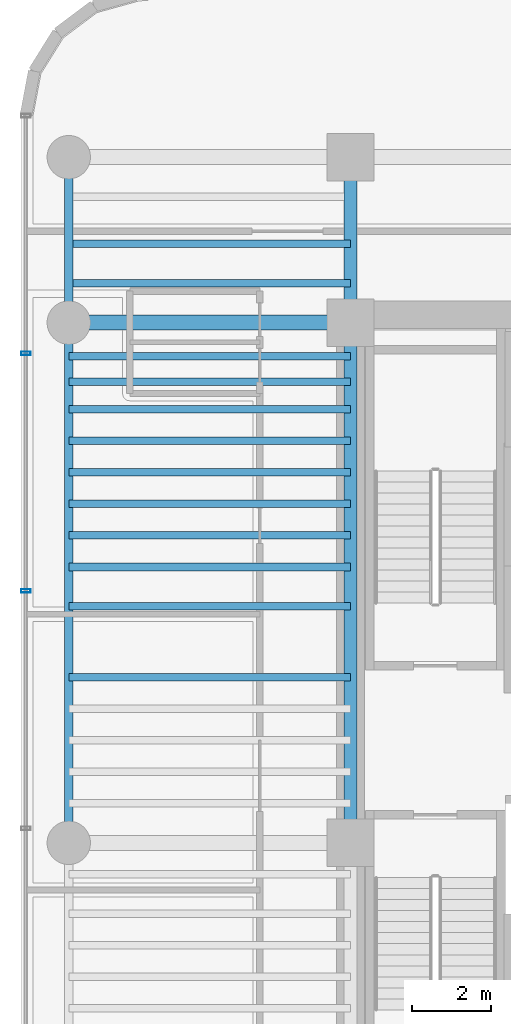
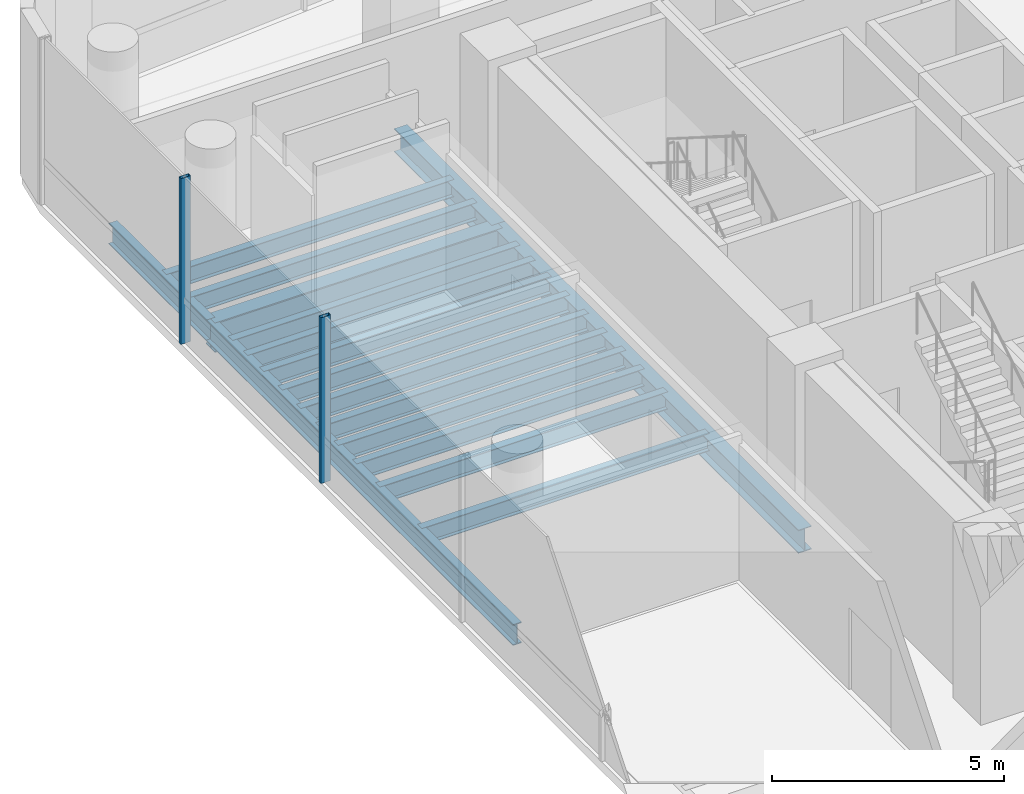
# One storey, part 8 of 32: 17 beams, 2 members, 1 element without a shape of its own.
"""IFC4 building model written with IfcOpenShell, lengths in metres."""

from ifc_helpers import new_model, si_unit, direction, frame, origin, origin_2d, place, context, subcontext, project, spatial, hollow_rectangle, i_section, extrude, source, transform, mapped, material, material_profile, profile_set, type_object, element, aggregate, save


model = new_model("IFC4")

# Units and contexts
model_context = context("Model", 3, precision=1e-05, world=origin(), true_north=direction((0.0, 1.0)))
body_context = subcontext(model_context, "Body", "Model", "MODEL_VIEW")
ifc_project = project(units=[si_unit("LENGTHUNIT", "METRE"), si_unit("AREAUNIT", "SQUARE_METRE"), si_unit("VOLUMEUNIT", "CUBIC_METRE"), si_unit("PLANEANGLEUNIT", "RADIAN"), si_unit("MASSUNIT", "GRAM", prefix="KILO")], contexts=[model_context])

# Site, building, storey
site_placement = place(None, origin())
site = spatial("IfcSite", under=ifc_project, at=site_placement, CompositionType="ELEMENT")
building_placement = place(site_placement, origin())
building = spatial("IfcBuilding", under=site, at=building_placement, Name="Valdorenza Pilgrim Sanctuary Tower", CompositionType="ELEMENT")
storey_placement = place(building_placement, frame((0.0, 0.0, 101.10009765625)))
storey = spatial("IfcBuildingStorey", under=building, at=storey_placement, Name="L25", CompositionType="ELEMENT", Elevation=101.10009765625)

# Beams
ifc_material_1 = material(Name="Steel ASTM A992 Grade 50", Category="steel")
ifc_material_profile_1 = material_profile(ifc_material_1, i_section(OverallWidth=0.214111328125, OverallDepth=0.549072265625, WebThickness=0.0146484375, FlangeThickness=0.023681640625, at=origin_2d()), Name="W21X93")
ifc_profile_set_1 = profile_set([ifc_material_profile_1], Name="Steel ASTM A992 Grade 50")
beam_type_1 = type_object("IfcBeamType", Name="STR-BM-SPN-W21A", PredefinedType="SPANDREL", material=ifc_profile_set_1)
shared_shape_1 = source(origin(), body_context, "Body", "SweptSolid", [
    extrude(i_section(OverallWidth=0.214111328125, OverallDepth=0.549072265625, WebThickness=0.0146484375, FlangeThickness=0.023681640625, at=origin_2d()), origin(), (0.0, 0.0, 1.0), 13.2001953125),
])
beam_1_placement = place(storey_placement, frame((-29.800048828125, -2.60009765625, -0.5146484375), z_axis=(0.0, 1.0, 0.0), x_axis=(-1.0, 0.0, 0.0)))
element("IfcBeam", 1, at=beam_1_placement, inside=storey, type_object=beam_type_1, Name="L25 Spandrel Beam WA-W-M0N1", PredefinedType="SPANDREL", context=body_context, shape_type="MappedRepresentation", body=[
    mapped(shared_shape_1, transform((0.0, 0.0, 0.0), x_axis=(1.0, 0.0, 0.0), y_axis=(0.0, 1.0, 0.0), z_axis=(0.0, 0.0, 1.0), scale=1.0)),
])
ifc_material_profile_2 = material_profile(ifc_material_1, i_section(OverallWidth=0.323974609375, OverallDepth=0.611083984375, WebThickness=0.0126953125, FlangeThickness=0.01904296875, at=origin_2d()), Name="W24X104")
ifc_profile_set_2 = profile_set([ifc_material_profile_2], Name="Steel ASTM A992 Grade 50")
beam_type_2 = type_object("IfcBeamType", Name="STR-BM-GRD-W24B", PredefinedType="BEAM", material=ifc_profile_set_2)
shared_shape_2 = source(origin(), body_context, "Body", "SweptSolid", [
    extrude(i_section(OverallWidth=0.323974609375, OverallDepth=0.611083984375, WebThickness=0.0126953125, FlangeThickness=0.01904296875, at=origin_2d()), origin(), (0.0, 0.0, 1.0), 13.2001953125),
])
beam_2_placement = place(storey_placement, frame((-22.64990234375, -2.60009765625, -0.545654296875), z_axis=(0.0, 1.0, 0.0), x_axis=(-1.0, 0.0, 0.0)))
element("IfcBeam", 2, at=beam_2_placement, inside=storey, type_object=beam_type_2, Name="L25 Core Tie Girder CA-W-M0N1", PredefinedType="BEAM", context=body_context, shape_type="MappedRepresentation", body=[
    mapped(shared_shape_2, transform((0.0, 0.0, 0.0), x_axis=(1.0, 0.0, 0.0), y_axis=(0.0, 1.0, 0.0), z_axis=(0.0, 0.0, 1.0), scale=1.0)),
])
shared_shape_3 = source(origin(), body_context, "Body", "SweptSolid", [
    extrude(i_section(OverallWidth=0.214111328125, OverallDepth=0.549072265625, WebThickness=0.0146484375, FlangeThickness=0.023681640625, at=origin_2d()), origin(), (0.0, 0.0, 1.0), 4.199951171875),
])
beam_3_placement = place(storey_placement, frame((-29.800048828125, 10.60009765625, -0.5146484375), z_axis=(0.0, 1.0, 0.0), x_axis=(-1.0, 0.0, 0.0)))
element("IfcBeam", 3, at=beam_3_placement, inside=storey, type_object=beam_type_1, Name="L25 Spandrel Beam WA-W-N1N2", PredefinedType="SPANDREL", context=body_context, shape_type="MappedRepresentation", body=[
    mapped(shared_shape_3, transform((0.0, 0.0, 0.0), x_axis=(1.0, 0.0, 0.0), y_axis=(0.0, 1.0, 0.0), z_axis=(0.0, 0.0, 1.0), scale=1.0)),
])
shared_shape_4 = source(origin(), body_context, "Body", "SweptSolid", [
    extrude(i_section(OverallWidth=0.323974609375, OverallDepth=0.611083984375, WebThickness=0.0126953125, FlangeThickness=0.01904296875, at=origin_2d()), origin(), (0.0, 0.0, 1.0), 4.199951171875),
])
beam_4_placement = place(storey_placement, frame((-22.64990234375, 10.60009765625, -0.545654296875), z_axis=(0.0, 1.0, 0.0), x_axis=(-1.0, 0.0, 0.0)))
element("IfcBeam", 4, at=beam_4_placement, inside=storey, type_object=beam_type_2, Name="L25 Core Tie Girder CA-W-N1N2", PredefinedType="BEAM", context=body_context, shape_type="MappedRepresentation", body=[
    mapped(shared_shape_4, transform((0.0, 0.0, 0.0), x_axis=(1.0, 0.0, 0.0), y_axis=(0.0, 1.0, 0.0), z_axis=(0.0, 0.0, 1.0), scale=1.0)),
])
ifc_material_profile_3 = material_profile(ifc_material_1, i_section(OverallWidth=0.382080078125, OverallDepth=0.779052734375, WebThickness=0.01806640625, FlangeThickness=0.030029296875, at=origin_2d()), Name="W30X191")
ifc_profile_set_3 = profile_set([ifc_material_profile_3], Name="Steel ASTM A992 Grade 50")
beam_type_3 = type_object("IfcBeamType", Name="STR-BM-GRD-W30", PredefinedType="BEAM", material=ifc_profile_set_3)
shared_shape_5 = source(origin(), body_context, "Body", "SweptSolid", [
    extrude(i_section(OverallWidth=0.382080078125, OverallDepth=0.779052734375, WebThickness=0.01806640625, FlangeThickness=0.030029296875, at=origin_2d()), origin(), (0.0, 0.0, 1.0), 7.150146484375),
])
beam_5_placement = place(storey_placement, frame((-29.800048828125, 10.60009765625, -0.629638671875), z_axis=(1.0, 0.0, 0.0), x_axis=(0.0, 1.0, 0.0)))
element("IfcBeam", 5, at=beam_5_placement, inside=storey, type_object=beam_type_3, Name="L25 Floor Girder WA-XW-N1", PredefinedType="BEAM", context=body_context, shape_type="MappedRepresentation", body=[
    mapped(shared_shape_5, transform((0.0, 0.0, 0.0), x_axis=(1.0, 0.0, 0.0), y_axis=(0.0, 1.0, 0.0), z_axis=(0.0, 0.0, 1.0), scale=1.0)),
])
ifc_material_profile_4 = material_profile(ifc_material_1, i_section(OverallWidth=0.19091796875, OverallDepth=0.45703125, WebThickness=0.009033203125, FlangeThickness=0.014404296875, at=origin_2d()), Name="W18X50")
ifc_profile_set_4 = profile_set([ifc_material_profile_4], Name="Steel ASTM A992 Grade 50")
beam_type_4 = type_object("IfcBeamType", Name="STR-BM-JST-W18B", PredefinedType="JOIST", material=ifc_profile_set_4)
shared_shape_6 = source(origin(), body_context, "Body", "SweptSolid", [
    extrude(i_section(OverallWidth=0.19091796875, OverallDepth=0.45703125, WebThickness=0.009033203125, FlangeThickness=0.014404296875, at=origin_2d()), origin(), (0.0, 0.0, 1.0), 7.150146484375),
])
for number, where, z_axis, x_axis, name in (
    (6, (-29.800048828125, 1.60009765625, -0.468505859375), (1.0, 0.0, 0.0), (0.0, 1.0, 0.0), "L25 Composite Floor Joist JST-WA-14"),
    (7, (-29.800048828125, 3.39990234375, -0.468505859375), (1.0, 0.0, 0.0), (0.0, 1.0, 0.0), "L25 Composite Floor Joist JST-WA-15"),
    (8, (-29.800048828125, 4.39990234375, -0.468505859375), (1.0, 0.0, 0.0), (0.0, 1.0, 0.0), "L25 Composite Floor Joist JST-WA-16"),
    (9, (-29.800048828125, 5.199951171875, -0.468505859375), (1.0, 0.0, 0.0), (0.0, 1.0, 0.0), "L25 Composite Floor Joist JST-WA-17"),
    (10, (-29.800048828125, 6.0, -0.468505859375), (1.0, 0.0, 0.0), (0.0, 1.0, 0.0), "L25 Composite Floor Joist JST-WA-18"),
    (11, (-29.800048828125, 6.800048828125, -0.468505859375), (1.0, 0.0, 0.0), (0.0, 1.0, 0.0), "L25 Composite Floor Joist JST-WA-19"),
    (12, (-29.800048828125, 7.60009765625, -0.468505859375), (1.0, 0.0, 0.0), (0.0, 1.0, 0.0), "L25 Composite Floor Joist JST-WA-20"),
    (13, (-29.800048828125, 8.39990234375, -0.468505859375), (1.0, 0.0, 0.0), (0.0, 1.0, 0.0), "L25 Composite Floor Joist JST-WA-21"),
    (14, (-29.800048828125, 9.10009765625, -0.468505859375), (1.0, 0.0, 0.0), (0.0, 1.0, 0.0), "L25 Composite Floor Joist JST-WA-22"),
    (15, (-29.800048828125, 9.75, -0.468505859375), (1.0, 0.0, 0.0), (0.0, 1.0, 0.0), "L25 Composite Floor Joist JST-WA-23"),
    (16, (-29.800048828125, 11.60009765625, -0.468505859375), (1.0, 0.0, 0.0), (0.0, 1.0, 0.0), "L25 Composite Floor Joist JST-WA-24"),
    (17, (-29.800048828125, 12.60009765625, -0.468505859375), (1.0, 0.0, 0.0), (0.0, 1.0, 0.0), "L25 Composite Floor Joist JST-WA-25"),
):
    element("IfcBeam", number, at=place(storey_placement, frame(where, z_axis=z_axis, x_axis=x_axis)), inside=storey, type_object=beam_type_4, Name=name, PredefinedType="JOIST", context=body_context, shape_type="MappedRepresentation", body=[
        mapped(shared_shape_6, transform((0.0, 0.0, 0.0), x_axis=(1.0, 0.0, 0.0), y_axis=(0.0, 1.0, 0.0), z_axis=(0.0, 0.0, 1.0), scale=1.0)),
    ])

# Curtain wall, members
ifc_material_2 = material(Name="Curtain-wall IGU glazing", Category="glass")
curtain_wall_type = type_object("IfcCurtainWallType", Name="CW-SYS-04", PredefinedType="NOTDEFINED", material=ifc_material_2)
curtain_wall_placement = place(storey_placement, origin())
curtain_wall = element("IfcCurtainWall", 18, at=curtain_wall_placement, inside=storey, type_object=curtain_wall_type, Name="L25 Curtain Wall CW-L25-1-1", PredefinedType="NOTDEFINED")
ifc_material_3 = material(Name="Anodised aluminium AW-6060", Category="aluminium")
ifc_material_profile_5 = material_profile(ifc_material_3, hollow_rectangle(XDim=0.090087890625, YDim=0.239990234375, WallThickness=0.0048828125, at=origin_2d()), Name="ALU-M 240x90x5")
ifc_profile_set_5 = profile_set([ifc_material_profile_5], Name="Anodised aluminium AW-6060")
member_type = type_object("IfcMemberType", Name="CW-MUL-04", PredefinedType="MULLION", material=ifc_profile_set_5)
shared_shape_7 = source(origin(), body_context, "Body", "SweptSolid", [
    extrude(hollow_rectangle(XDim=0.090087890625, YDim=0.239990234375, WallThickness=0.0048828125, at=origin_2d()), origin(), (0.0, 0.0, 1.0), 4.35986328125),
])
member_1_placement = place(storey_placement, frame((-30.889892578125, 3.79443359375, 0.0), z_axis=(0.0, 0.0, 1.0), x_axis=(0.0, 1.0, 0.0)))
member_1 = element("IfcMember", 19, at=member_1_placement, type_object=member_type, Name="CW-L25-1-1 Mullion 4", PredefinedType="MULLION", context=body_context, shape_type="MappedRepresentation", body=[
    mapped(shared_shape_7, transform((0.0, 0.0, 0.0), x_axis=(1.0, 0.0, 0.0), y_axis=(0.0, 1.0, 0.0), z_axis=(0.0, 0.0, 1.0), scale=1.0)),
])
member_2_placement = place(storey_placement, frame((-30.889892578125, 9.822509765625, 0.0), z_axis=(0.0, 0.0, 1.0), x_axis=(0.0, 1.0, 0.0)))
member_2 = element("IfcMember", 20, at=member_2_placement, type_object=member_type, Name="CW-L25-1-1 Mullion 5", PredefinedType="MULLION", context=body_context, shape_type="MappedRepresentation", body=[
    mapped(shared_shape_7, transform((0.0, 0.0, 0.0), x_axis=(1.0, 0.0, 0.0), y_axis=(0.0, 1.0, 0.0), z_axis=(0.0, 0.0, 1.0), scale=1.0)),
])
aggregate(curtain_wall, [member_1, member_2])

save(model, "model.ifc")
